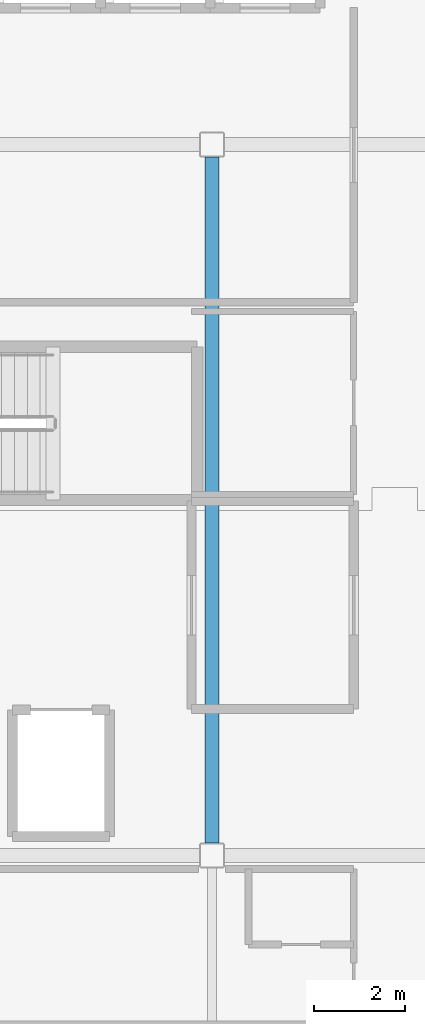
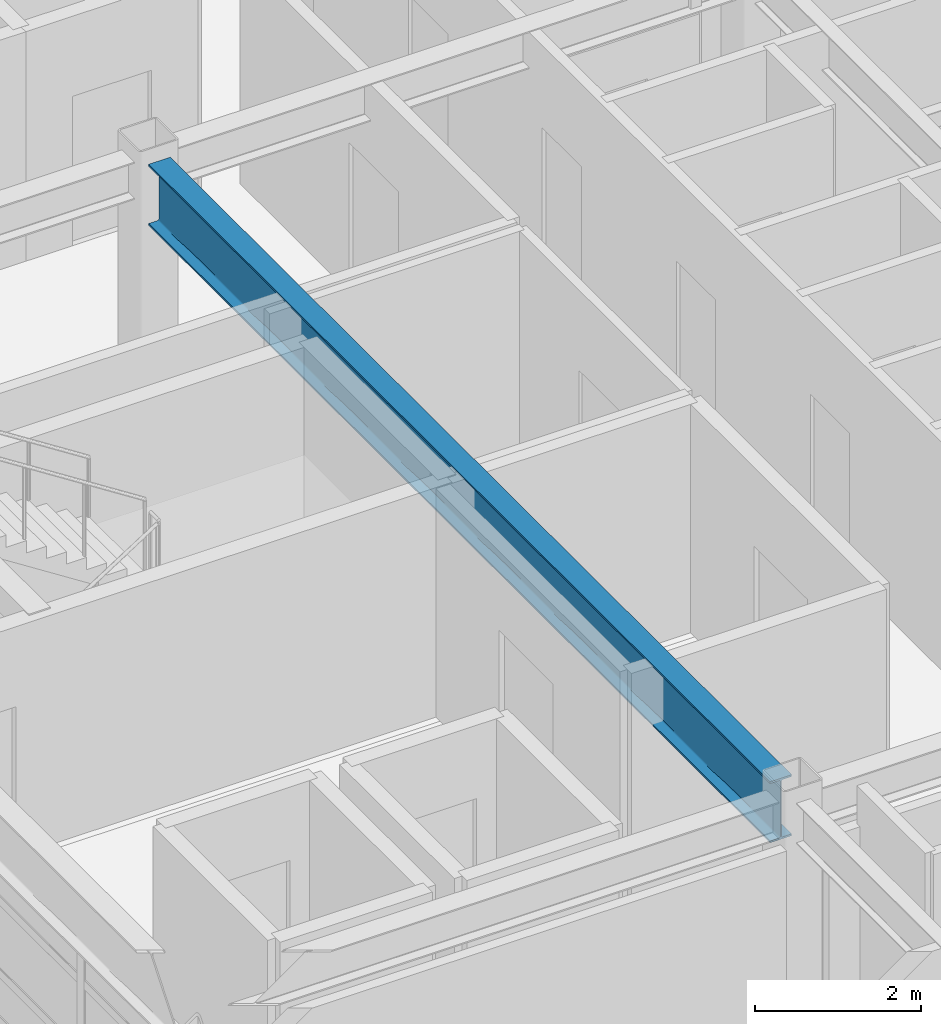
# One storey, part 16 of 36: 1 beam.
"""IFC4 building model written with IfcOpenShell, lengths in metres."""

from ifc_helpers import new_model, si_unit, direction, frame, origin, origin_2d, place, context, subcontext, project, spatial, i_section, extrude, material, material_profile, profile_set, type_object, element, save


model = new_model("IFC4")

# Units and contexts
model_context = context("Model", 3, precision=1e-05, world=origin(), true_north=direction((0.0, 1.0)))
body_context = subcontext(model_context, "Body", "Model", "MODEL_VIEW")
ifc_project = project(units=[si_unit("LENGTHUNIT", "METRE"), si_unit("AREAUNIT", "SQUARE_METRE"), si_unit("VOLUMEUNIT", "CUBIC_METRE"), si_unit("PLANEANGLEUNIT", "RADIAN"), si_unit("MASSUNIT", "GRAM", prefix="KILO")], contexts=[model_context])

# Site, building, storey
site_placement = place(None, origin())
site = spatial("IfcSite", under=ifc_project, at=site_placement, CompositionType="ELEMENT")
building_placement = place(site_placement, origin())
building = spatial("IfcBuilding", under=site, at=building_placement, Name="Kazehara Bluff Congress Hotel", CompositionType="ELEMENT")
storey_placement = place(building_placement, frame((0.0, 0.0, 28.199951171875)))
storey = spatial("IfcBuildingStorey", under=building, at=storey_placement, Name="L06", CompositionType="ELEMENT", Elevation=28.199951171875)

# Beam
ifc_material = material(Name="Steel SN490B", Category="steel")
ifc_material_profile = material_profile(ifc_material, i_section(OverallWidth=0.300048828125, OverallDepth=0.89990234375, WebThickness=0.01611328125, FlangeThickness=0.028076171875, FilletRadius=0.01806640625, at=origin_2d()))
ifc_profile_set = profile_set([ifc_material_profile], Name="Steel SN490B")
beam_type = type_object("IfcBeamType", Name="TP-G-08", PredefinedType="BEAM", material=ifc_profile_set)
beam_placement = place(storey_placement, frame((152.10009765625, 41.175048828125, 2.929931640625), z_axis=(0.0, 1.0, 0.0), x_axis=(-1.0, 0.0, 0.0)))
element("IfcBeam", 1, at=beam_placement, inside=storey, type_object=beam_type, Name="L06 girder G-08 18", PredefinedType="BEAM", context=body_context, shape_type="SweptSolid", body=[
    extrude(i_section(OverallWidth=0.300048828125, OverallDepth=0.89990234375, WebThickness=0.01611328125, FlangeThickness=0.028076171875, FilletRadius=0.01806640625, at=origin_2d()), origin(), (0.0, 0.0, 1.0), 15.0),
])

save(model, "model.ifc")
